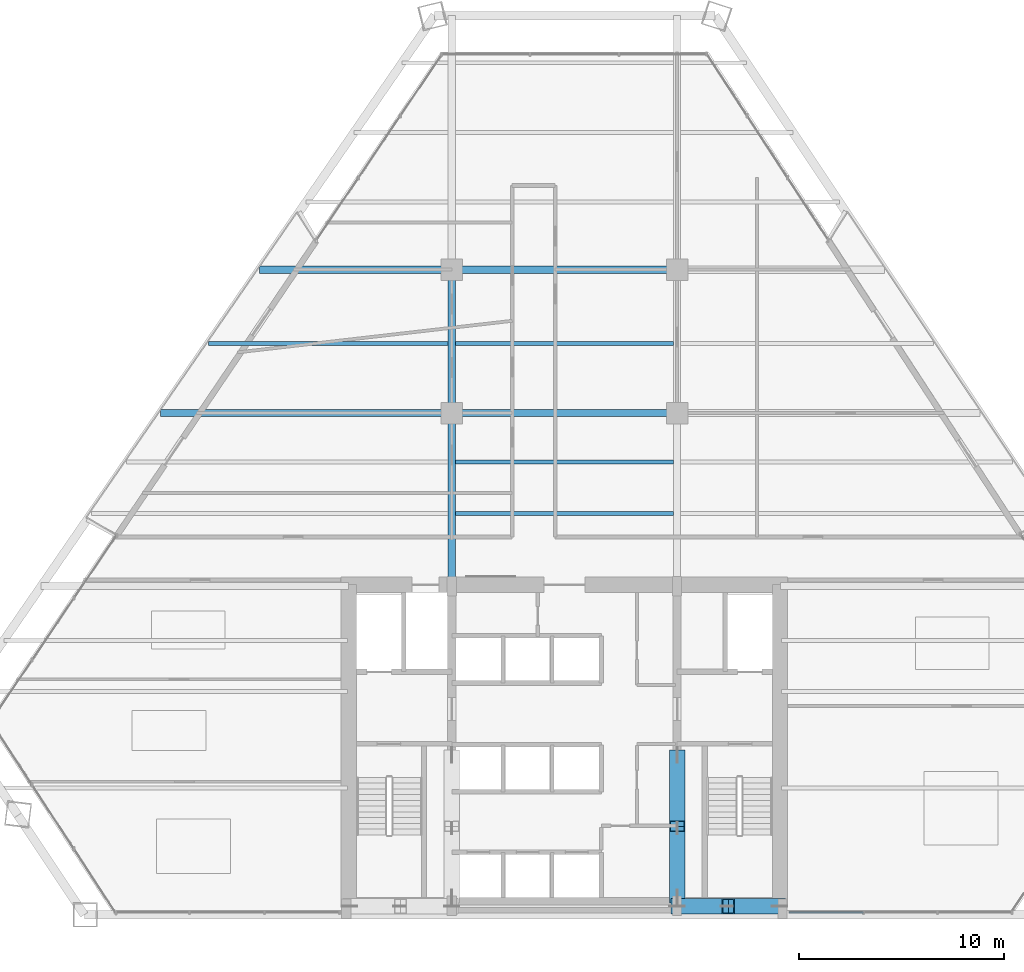
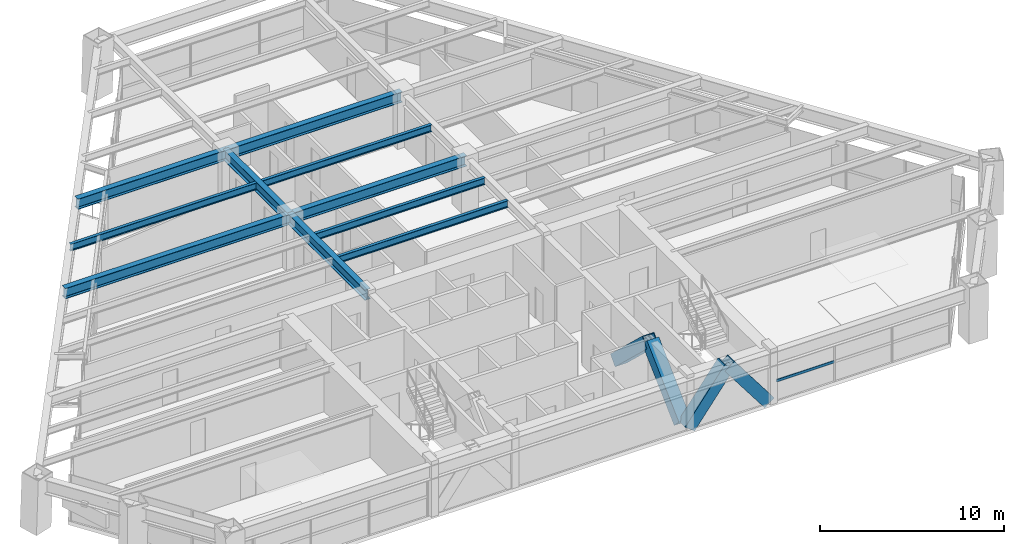
# One storey, part 5 of 14: 10 beams, 5 members, 1 element without a shape of its own.
"""IFC4 building model written with IfcOpenShell, lengths in metres."""

from ifc_helpers import new_model, si_unit, direction, frame, origin, origin_2d, place, context, subcontext, project, spatial, rectangle, hollow_rectangle, i_section, extrude, source, transform, mapped, material, material_profile, profile_set, type_object, type_shapes, element, aggregate, save


model = new_model("IFC4")

# Units and contexts
model_context = context("Model", 3, precision=1e-05, world=origin(), true_north=direction((0.0, 1.0)))
body_context = subcontext(model_context, "Body", "Model", "MODEL_VIEW")
ifc_project = project(units=[si_unit("LENGTHUNIT", "METRE"), si_unit("AREAUNIT", "SQUARE_METRE"), si_unit("VOLUMEUNIT", "CUBIC_METRE"), si_unit("PLANEANGLEUNIT", "RADIAN"), si_unit("MASSUNIT", "GRAM", prefix="KILO")], contexts=[model_context])

# Site, building, storey
site_placement = place(None, origin())
site = spatial("IfcSite", under=ifc_project, at=site_placement, CompositionType="ELEMENT")
building_placement = place(site_placement, origin())
building = spatial("IfcBuilding", under=site, at=building_placement, Name="Varnakhor Terracotta Tower", CompositionType="ELEMENT")
storey_placement = place(building_placement, frame((0.0, 0.0, 80.300048828125)))
storey = spatial("IfcBuildingStorey", under=building, at=storey_placement, Name="L19", CompositionType="ELEMENT", Elevation=80.300048828125)

# Beams
ifc_material_1 = material(Name="Steel S355", Category="steel")
ifc_material_profile_1 = material_profile(ifc_material_1, i_section(OverallWidth=0.35498046875, OverallDepth=0.695068359375, WebThickness=0.014892578125, FlangeThickness=0.02490234375, FilletRadius=0.01806640625, at=origin_2d()), Name="W27X146")
ifc_profile_set_1 = profile_set([ifc_material_profile_1], Name="Steel S355")
beam_type_1 = type_object("IfcBeamType", Name="BM-W27X146", PredefinedType="BEAM", material=ifc_profile_set_1)
shared_shape_1 = source(origin(), body_context, "Body", "SweptSolid", [
    extrude(i_section(OverallWidth=0.35498046875, OverallDepth=0.695068359375, WebThickness=0.014892578125, FlangeThickness=0.02490234375, FilletRadius=0.01806640625, at=origin_2d()), origin(), (0.0, 0.0, 1.0), 8.449951171875),
])
type_shapes(beam_type_1, [shared_shape_1])
beam_1_placement = place(storey_placement, frame((-5.5, 16.050048828125, 3.1025390625), z_axis=(0.0, 1.0, 0.0), x_axis=(-1.0, 0.0, 0.0)))
element("IfcBeam", 1, at=beam_1_placement, inside=storey, type_object=beam_type_1, Name="L19 Primary Girder NS1-W", PredefinedType="BEAM", context=body_context, shape_type="MappedRepresentation", body=[
    mapped(shared_shape_1, transform((0.0, 0.0, 0.0), scale=1.0)),
])
shared_shape_2 = source(origin(), body_context, "Body", "SweptSolid", [
    extrude(i_section(OverallWidth=0.35498046875, OverallDepth=0.695068359375, WebThickness=0.014892578125, FlangeThickness=0.02490234375, FilletRadius=0.01806640625, at=origin_2d()), origin(), (0.0, 0.0, 1.0), 7.0),
])
beam_2_placement = place(storey_placement, frame((-5.5, 24.5, 3.1025390625), z_axis=(0.0, 1.0, 0.0), x_axis=(-1.0, 0.0, 0.0)))
element("IfcBeam", 2, at=beam_2_placement, inside=storey, type_object=beam_type_1, Name="L19 Primary Girder NS2-W", PredefinedType="BEAM", context=body_context, shape_type="MappedRepresentation", body=[
    mapped(shared_shape_2, transform((0.0, 0.0, 0.0), scale=1.0)),
])
shared_shape_3 = source(origin(), body_context, "Body", "SweptSolid", [
    extrude(i_section(OverallWidth=0.35498046875, OverallDepth=0.695068359375, WebThickness=0.014892578125, FlangeThickness=0.02490234375, FilletRadius=0.01806640625, at=origin_2d()), origin(), (0.0, 0.0, 1.0), 11.0),
])
for number, where, z_axis, x_axis, name in (
    (3, (-5.5, 24.5, 3.1025390625), (1.0, 0.0, 0.0), (0.0, 1.0, 0.0), "L19 Primary Girder EW2-2"),
    (4, (-5.5, 31.5, 3.1025390625), (1.0, 0.0, 0.0), (0.0, 1.0, 0.0), "L19 Primary Girder EW3-2"),
):
    element("IfcBeam", number, at=place(storey_placement, frame(where, z_axis=z_axis, x_axis=x_axis)), inside=storey, type_object=beam_type_1, Name=name, PredefinedType="BEAM", context=body_context, shape_type="MappedRepresentation", body=[
        mapped(shared_shape_3, transform((0.0, 0.0, 0.0), scale=1.0)),
    ])
ifc_material_profile_2 = material_profile(ifc_material_1, i_section(OverallWidth=0.19189453125, OverallDepth=0.462890625, WebThickness=0.010498046875, FlangeThickness=0.017578125, FilletRadius=0.01806640625, at=origin_2d()), Name="W18X60")
ifc_profile_set_2 = profile_set([ifc_material_profile_2], Name="Steel S355")
beam_type_2 = type_object("IfcBeamType", Name="JST-W18X60", PredefinedType="JOIST", material=ifc_profile_set_2)
shared_shape_4 = source(origin(), body_context, "Body", "SweptSolid", [
    extrude(i_section(OverallWidth=0.19189453125, OverallDepth=0.462890625, WebThickness=0.010498046875, FlangeThickness=0.017578125, FilletRadius=0.01806640625, at=origin_2d()), origin(), (0.0, 0.0, 1.0), 10.65283203125),
])
for number, where, z_axis, x_axis, name in (
    (5, (-5.326416015625, 19.60009765625, 3.218505859375), (1.0, 0.0, 0.0), (0.0, 1.0, 0.0), "L19 Composite Floor Joist 4-2"),
    (6, (-5.326416015625, 22.10009765625, 3.218505859375), (1.0, 0.0, 0.0), (0.0, 1.0, 0.0), "L19 Composite Floor Joist 5-2"),
    (7, (-5.326416015625, 27.89990234375, 3.218505859375), (1.0, 0.0, 0.0), (0.0, 1.0, 0.0), "L19 Composite Floor Joist 6-2"),
):
    element("IfcBeam", number, at=place(storey_placement, frame(where, z_axis=z_axis, x_axis=x_axis)), inside=storey, type_object=beam_type_2, Name=name, PredefinedType="JOIST", context=body_context, shape_type="MappedRepresentation", body=[
        mapped(shared_shape_4, transform((0.0, 0.0, 0.0), scale=1.0)),
    ])

# Members
ifc_material_2 = material(Name="Steel S460", Category="steel")
ifc_material_profile_3 = material_profile(ifc_material_2, hollow_rectangle(XDim=0.75, YDim=0.75, WallThickness=0.044921875, at=origin_2d()), Name="HSS750X750X45")
ifc_profile_set_3 = profile_set([ifc_material_profile_3], Name="Steel S460")
member_type_1 = type_object("IfcMemberType", Name="MBR-MEGA-750", PredefinedType="BRACE", material=ifc_profile_set_3)
shared_shape_5 = source(origin(), body_context, "Body", "SweptSolid", [
    extrude(hollow_rectangle(XDim=0.75, YDim=0.75, WallThickness=0.044921875, at=origin_2d()), origin(), (0.0, 0.0, 1.0), 4.14013671875),
])
type_shapes(member_type_1, [shared_shape_5])
for number, where, z_axis, x_axis, name in (
    (8, (5.5, 0.419921875, 0.0), (0.603852011179, 0.0, 0.797096448741), (0.0, 1.0, 0.0), "L19 Core Coupled Brace CSEA"),
    (9, (10.5, 0.419921875, 0.0), (-0.603852011179, 0.0, 0.797096448741), (0.0, -1.0, 0.0), "L19 Core Coupled Brace CSEB"),
):
    element("IfcMember", number, at=place(storey_placement, frame(where, z_axis=z_axis, x_axis=x_axis)), inside=storey, type_object=member_type_1, Name=name, PredefinedType="BRACE", context=body_context, shape_type="MappedRepresentation", body=[
        mapped(shared_shape_5, transform((0.0, 0.0, 0.0), scale=1.0)),
    ])
shared_shape_6 = source(origin(), body_context, "Body", "SweptSolid", [
    extrude(hollow_rectangle(XDim=0.75, YDim=0.75, WallThickness=0.044921875, at=origin_2d()), origin(), (0.0, 0.0, 1.0), 4.792236328125),
])
for number, where, z_axis, x_axis, name in (
    (10, (5.5, 0.85009765625, 0.0), (0.0, 0.725110085518, 0.688632967466), (-1.0, 0.0, 0.0), "L19 Core Coupled Brace CWEA"),
    (11, (5.5, 7.800048828125, 0.0), (0.0, -0.72513424341, 0.688607529028), (1.0, 0.0, 0.0), "L19 Core Coupled Brace CWEB"),
):
    element("IfcMember", number, at=place(storey_placement, frame(where, z_axis=z_axis, x_axis=x_axis)), inside=storey, type_object=member_type_1, Name=name, PredefinedType="BRACE", context=body_context, shape_type="MappedRepresentation", body=[
        mapped(shared_shape_6, transform((0.0, 0.0, 0.0), scale=1.0)),
    ])

# Beams
shared_shape_7 = source(origin(), body_context, "Body", "SweptSolid", [
    extrude(i_section(OverallWidth=0.35498046875, OverallDepth=0.695068359375, WebThickness=0.014892578125, FlangeThickness=0.02490234375, FilletRadius=0.01806640625, at=origin_2d()), origin(), (0.0, 0.0, 1.0), 14.215576171875),
])
beam_3_placement = place(storey_placement, frame((-19.715576171875, 24.5, 3.1025390625), z_axis=(1.0, 0.0, 0.0), x_axis=(0.0, 1.0, 0.0)))
element("IfcBeam", 12, at=beam_3_placement, inside=storey, type_object=beam_type_1, Name="L19 Primary Girder EW2-1", PredefinedType="BEAM", context=body_context, shape_type="MappedRepresentation", body=[
    mapped(shared_shape_7, transform((0.0, 0.0, 0.0), scale=1.0)),
])
shared_shape_8 = source(origin(), body_context, "Body", "SweptSolid", [
    extrude(i_section(OverallWidth=0.35498046875, OverallDepth=0.695068359375, WebThickness=0.014892578125, FlangeThickness=0.02490234375, FilletRadius=0.01806640625, at=origin_2d()), origin(), (0.0, 0.0, 1.0), 9.388427734375),
])
beam_4_placement = place(storey_placement, frame((-14.888427734375, 31.5, 3.1025390625), z_axis=(1.0, 0.0, 0.0), x_axis=(0.0, 1.0, 0.0)))
element("IfcBeam", 13, at=beam_4_placement, inside=storey, type_object=beam_type_1, Name="L19 Primary Girder EW3-1", PredefinedType="BEAM", context=body_context, shape_type="MappedRepresentation", body=[
    mapped(shared_shape_8, transform((0.0, 0.0, 0.0), scale=1.0)),
])
shared_shape_9 = source(origin(), body_context, "Body", "SweptSolid", [
    extrude(i_section(OverallWidth=0.19189453125, OverallDepth=0.462890625, WebThickness=0.010498046875, FlangeThickness=0.017578125, FilletRadius=0.01806640625, at=origin_2d()), origin(), (0.0, 0.0, 1.0), 11.697265625),
])
beam_5_placement = place(storey_placement, frame((-17.370849609375, 27.89990234375, 3.218505859375), z_axis=(1.0, 0.0, 0.0), x_axis=(0.0, 1.0, 0.0)))
element("IfcBeam", 14, at=beam_5_placement, inside=storey, type_object=beam_type_2, Name="L19 Composite Floor Joist 6-1", PredefinedType="JOIST", context=body_context, shape_type="MappedRepresentation", body=[
    mapped(shared_shape_9, transform((0.0, 0.0, 0.0), scale=1.0)),
])

# Curtain wall, member
ifc_material_3 = material(Name="Anodised Aluminium Curtain Wall System", Category="aluminium")
curtain_wall_type = type_object("IfcCurtainWallType", Name="CW-SYS-LOW-OFFICE", PredefinedType="NOTDEFINED", material=ifc_material_3)
curtain_wall_placement = place(storey_placement, origin())
curtain_wall = element("IfcCurtainWall", 15, at=curtain_wall_placement, inside=storey, type_object=curtain_wall_type, Name="L19 South Wing Curtain Wall SSE", PredefinedType="NOTDEFINED")
ifc_material_4 = material(Name="Anodised Aluminium 6063-T6", Category="aluminium")
ifc_material_profile_4 = material_profile(ifc_material_4, rectangle(XDim=0.074951171875, YDim=0.1650390625, at=origin_2d()), Name="ALU TRANSOM 75x165")
ifc_profile_set_4 = profile_set([ifc_material_profile_4], Name="Anodised Aluminium 6063-T6")
member_type_2 = type_object("IfcMemberType", Name="CWT-02", PredefinedType="USERDEFINED", material=ifc_profile_set_4)
shared_shape_10 = source(origin(), body_context, "Body", "SweptSolid", [
    extrude(rectangle(XDim=0.074951171875, YDim=0.1650390625, at=origin_2d()), origin(), (0.0, 0.0, 1.0), 3.625732421875),
])
member_placement = place(storey_placement, frame((14.595703125, 0.1201171875, 1.2724609375), z_axis=(-1.0, 0.0, 0.0), x_axis=(0.0, -1.0, 0.0)))
member = element("IfcMember", 16, at=member_placement, type_object=member_type_2, Name="L19 South Wing Curtain Wall SSE Transom 3", ObjectType="TRANSOM", PredefinedType="USERDEFINED", context=body_context, shape_type="MappedRepresentation", body=[
    mapped(shared_shape_10, transform((0.0, 0.0, 0.0), scale=1.0)),
])
aggregate(curtain_wall, [member])

save(model, "model.ifc")
